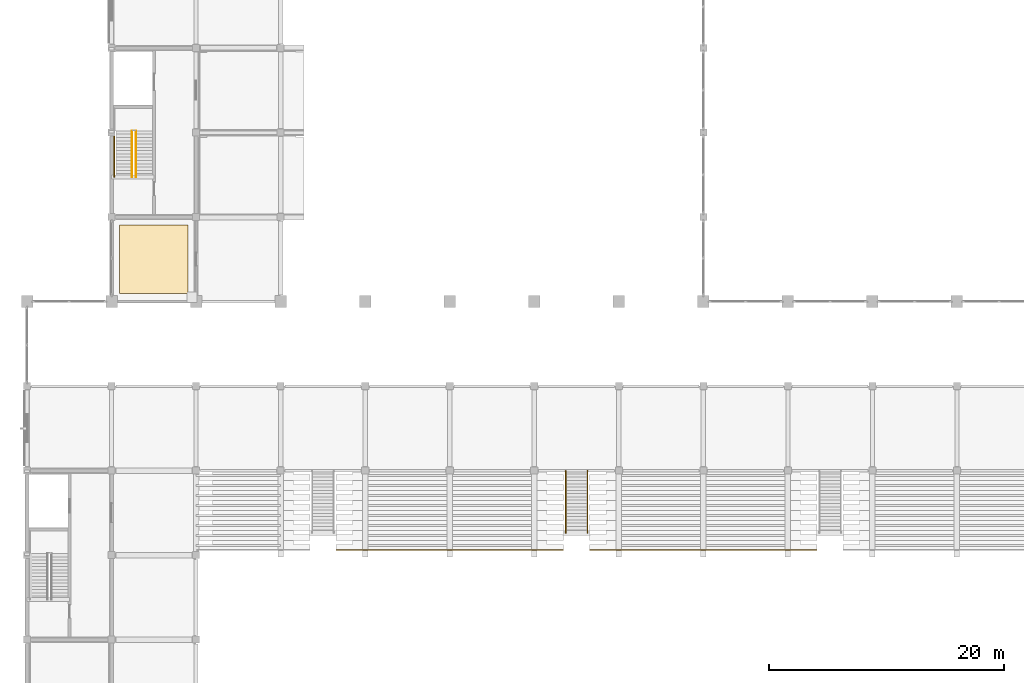
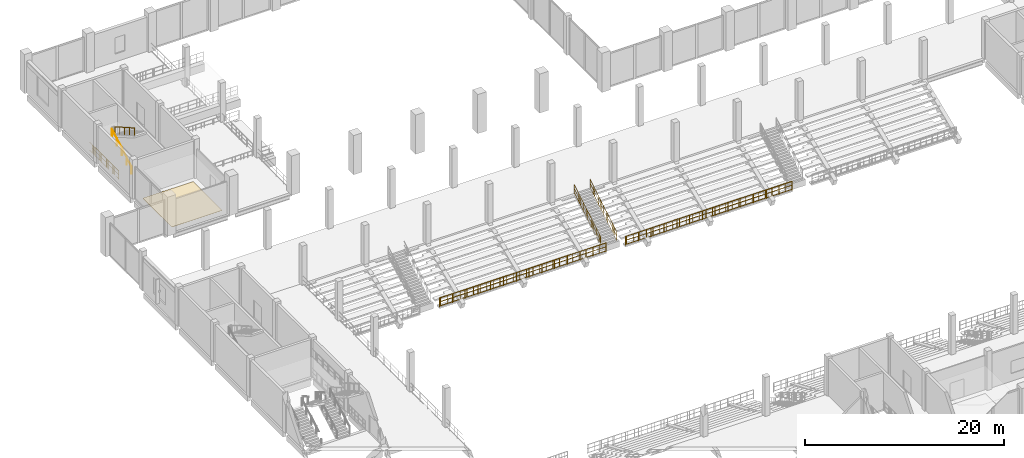
# One storey, part 90 of 99: 7 railings, 1 covering.
"""IFC4 building model written with IfcOpenShell, lengths in metres."""

from ifc_helpers import new_model, si_unit, direction, frame, origin, origin_2d, place, context, subcontext, project, spatial, polyline, circle, outline, extrude, material, layer, layer_set, type_object, element, save


model = new_model("IFC4")

# Units and contexts
model_context = context("Model", 3, precision=1e-05, world=origin(), true_north=direction((0.0, 1.0)))
body_context = subcontext(model_context, "Body", "Model", "MODEL_VIEW")
ifc_project = project(units=[si_unit("LENGTHUNIT", "METRE"), si_unit("AREAUNIT", "SQUARE_METRE"), si_unit("VOLUMEUNIT", "CUBIC_METRE"), si_unit("PLANEANGLEUNIT", "RADIAN"), si_unit("MASSUNIT", "GRAM", prefix="KILO")], contexts=[model_context])

# Site, building, storey
site_placement = place(None, origin())
site = spatial("IfcSite", under=ifc_project, at=site_placement, CompositionType="ELEMENT")
building_placement = place(site_placement, origin())
building = spatial("IfcBuilding", under=site, at=building_placement, Name="Vesperath Aquatics Centre", CompositionType="ELEMENT")
storey_placement = place(building_placement, frame((0.0, 0.0, 5.39990234375)))
storey = spatial("IfcBuildingStorey", under=building, at=storey_placement, Name="L01", CompositionType="ELEMENT", Elevation=5.39990234375)

# Covering
ifc_material_1 = material(Name="Slip-resistant vitrified ceramic and terrazzo flooring", Category="ceramic")
ifc_layer = layer(ifc_material_1, 0.030029296875)
ifc_layer_set = layer_set([ifc_layer], Name="Slip-resistant vitrified ceramic and terrazzo flooring")
covering_type = type_object("IfcCoveringType", Name="CV-FLR01", PredefinedType="FLOORING", material=ifc_layer_set)
covering_placement = place(storey_placement, origin())
element("IfcCovering", 1, at=covering_placement, inside=storey, type_object=covering_type, Name="Slip-Resistant Floor Finish FLR1 L01_DIVE_JDG", PredefinedType="FLOORING", context=body_context, shape_type="SweptSolid", body=[
    extrude(outline(polyline([(7.8798828125, 87.080078125), (13.719970703125, 87.080078125), (13.719970703125, 92.919921875), (7.8798828125, 92.919921875), (7.8798828125, 87.080078125)])), origin(), (0.0, 0.0, 1.0), 0.030029296875),
])

# Railings
ifc_material_2 = material(Name="Powder-coated galvanized steel safety guard", Category="steel")
railing_type_1 = type_object("IfcRailingType", Name="RL-GRD01", PredefinedType="GUARDRAIL", material=ifc_material_2)
railing_1_placement = place(storey_placement, frame((7.419921875, 97.0, 0.0)))
element("IfcRailing", 2, at=railing_1_placement, inside=storey, type_object=railing_type_1, Name="Stair ST3 Shaft Side Guard GR02 L01", PredefinedType="GUARDRAIL", context=body_context, shape_type="SweptSolid", body=[
    extrude(circle(Radius=0.02392578125, at=origin_2d()), frame((0.0, 0.0, 1.0859375), z_axis=(0.0, 1.0, 0.0), x_axis=(-1.0, 0.0, 0.0)), (0.0, 0.0, 1.0), 5.840087890625),
    extrude(circle(Radius=0.01611328125, at=origin_2d()), frame((0.0, 0.0, 0.10009765625), z_axis=(0.0, 1.0, 0.0), x_axis=(-1.0, 0.0, 0.0)), (0.0, 0.0, 1.0), 5.840087890625),
    extrude(circle(Radius=0.01611328125, at=origin_2d()), frame((0.0, 0.0, 0.610595703125), z_axis=(0.0, 1.0, 0.0), x_axis=(-1.0, 0.0, 0.0)), (0.0, 0.0, 1.0), 5.840087890625),
    extrude(circle(Radius=0.009033203125, at=origin_2d()), frame((0.0, 0.108154296875, 0.10009765625)), (0.0, 0.0, 1.0), 0.9619140625),
    extrude(circle(Radius=0.009033203125, at=origin_2d()), frame((0.0, 0.324462890625, 0.10009765625)), (0.0, 0.0, 1.0), 0.9619140625),
    extrude(circle(Radius=0.009033203125, at=origin_2d()), frame((0.0, 0.540771484375, 0.10009765625)), (0.0, 0.0, 1.0), 0.9619140625),
    extrude(circle(Radius=0.009033203125, at=origin_2d()), frame((0.0, 0.757080078125, 0.10009765625)), (0.0, 0.0, 1.0), 0.9619140625),
    extrude(circle(Radius=0.009033203125, at=origin_2d()), frame((0.0, 0.973388671875, 0.10009765625)), (0.0, 0.0, 1.0), 0.9619140625),
    extrude(circle(Radius=0.009033203125, at=origin_2d()), frame((0.0, 1.189697265625, 0.10009765625)), (0.0, 0.0, 1.0), 0.9619140625),
    extrude(circle(Radius=0.009033203125, at=origin_2d()), frame((0.0, 1.406005859375, 0.10009765625)), (0.0, 0.0, 1.0), 0.9619140625),
    extrude(circle(Radius=0.009033203125, at=origin_2d()), frame((0.0, 1.622314453125, 0.10009765625)), (0.0, 0.0, 1.0), 0.9619140625),
    extrude(circle(Radius=0.009033203125, at=origin_2d()), frame((0.0, 1.838623046875, 0.10009765625)), (0.0, 0.0, 1.0), 0.9619140625),
    extrude(circle(Radius=0.009033203125, at=origin_2d()), frame((0.0, 2.054931640625, 0.10009765625)), (0.0, 0.0, 1.0), 0.9619140625),
    extrude(circle(Radius=0.009033203125, at=origin_2d()), frame((0.0, 2.271240234375, 0.10009765625)), (0.0, 0.0, 1.0), 0.9619140625),
    extrude(circle(Radius=0.009033203125, at=origin_2d()), frame((0.0, 2.487548828125, 0.10009765625)), (0.0, 0.0, 1.0), 0.9619140625),
    extrude(circle(Radius=0.009033203125, at=origin_2d()), frame((0.0, 2.703857421875, 0.10009765625)), (0.0, 0.0, 1.0), 0.9619140625),
    extrude(circle(Radius=0.009033203125, at=origin_2d()), frame((0.0, 2.919921875, 0.10009765625)), (0.0, 0.0, 1.0), 0.9619140625),
    extrude(circle(Radius=0.009033203125, at=origin_2d()), frame((0.0, 3.13623046875, 0.10009765625)), (0.0, 0.0, 1.0), 0.9619140625),
    extrude(circle(Radius=0.009033203125, at=origin_2d()), frame((0.0, 3.3525390625, 0.10009765625)), (0.0, 0.0, 1.0), 0.9619140625),
    extrude(circle(Radius=0.009033203125, at=origin_2d()), frame((0.0, 3.56884765625, 0.10009765625)), (0.0, 0.0, 1.0), 0.9619140625),
    extrude(circle(Radius=0.009033203125, at=origin_2d()), frame((0.0, 3.78515625, 0.10009765625)), (0.0, 0.0, 1.0), 0.9619140625),
    extrude(circle(Radius=0.009033203125, at=origin_2d()), frame((0.0, 4.00146484375, 0.10009765625)), (0.0, 0.0, 1.0), 0.9619140625),
    extrude(circle(Radius=0.009033203125, at=origin_2d()), frame((0.0, 4.2177734375, 0.10009765625)), (0.0, 0.0, 1.0), 0.9619140625),
    extrude(circle(Radius=0.009033203125, at=origin_2d()), frame((0.0, 4.43408203125, 0.10009765625)), (0.0, 0.0, 1.0), 0.9619140625),
    extrude(circle(Radius=0.009033203125, at=origin_2d()), frame((0.0, 4.650390625, 0.10009765625)), (0.0, 0.0, 1.0), 0.9619140625),
    extrude(circle(Radius=0.009033203125, at=origin_2d()), frame((0.0, 4.86669921875, 0.10009765625)), (0.0, 0.0, 1.0), 0.9619140625),
    extrude(circle(Radius=0.009033203125, at=origin_2d()), frame((0.0, 5.0830078125, 0.10009765625)), (0.0, 0.0, 1.0), 0.9619140625),
    extrude(circle(Radius=0.009033203125, at=origin_2d()), frame((0.0, 5.29931640625, 0.10009765625)), (0.0, 0.0, 1.0), 0.9619140625),
    extrude(circle(Radius=0.009033203125, at=origin_2d()), frame((0.0, 5.515625, 0.10009765625)), (0.0, 0.0, 1.0), 0.9619140625),
    extrude(circle(Radius=0.009033203125, at=origin_2d()), frame((0.0, 5.73193359375, 0.10009765625)), (0.0, 0.0, 1.0), 0.9619140625),
    extrude(circle(Radius=0.02197265625, at=origin_2d()), origin(), (0.0, 0.0, 1.0), 1.0859375),
    extrude(circle(Radius=0.02197265625, at=origin_2d()), frame((0.0, 1.16796875, 0.0)), (0.0, 0.0, 1.0), 1.0859375),
    extrude(circle(Radius=0.02197265625, at=origin_2d()), frame((0.0, 2.3359375, 0.0)), (0.0, 0.0, 1.0), 1.0859375),
    extrude(circle(Radius=0.02197265625, at=origin_2d()), frame((0.0, 3.504150390625, 0.0)), (0.0, 0.0, 1.0), 1.0859375),
    extrude(circle(Radius=0.02197265625, at=origin_2d()), frame((0.0, 4.672119140625, 0.0)), (0.0, 0.0, 1.0), 1.0859375),
    extrude(circle(Radius=0.02197265625, at=origin_2d()), frame((0.0, 5.840087890625, 0.0)), (0.0, 0.0, 1.0), 1.0859375),
])
railing_2_placement = place(storey_placement, frame((45.8798828125, 66.679931640625, -3.199951171875)))
element("IfcRailing", 3, at=railing_2_placement, inside=storey, type_object=railing_type_1, Name="Vomitory VOM-05 Guardrail GR02-W", PredefinedType="GUARDRAIL", context=body_context, shape_type="SweptSolid", body=[
    extrude(circle(Radius=0.02392578125, at=origin_2d()), frame((0.0, 0.0, 1.0859375), z_axis=(0.0, 0.85693029826, 0.515432307801), x_axis=(-1.0, 0.0, 0.0)), (0.0, 0.0, 1.0), 6.208251953125),
    extrude(circle(Radius=0.01611328125, at=origin_2d()), frame((0.0, 0.0, 0.10009765625), z_axis=(0.0, 0.85693029826, 0.515432307801), x_axis=(-1.0, 0.0, 0.0)), (0.0, 0.0, 1.0), 6.208251953125),
    extrude(circle(Radius=0.01611328125, at=origin_2d()), frame((0.0, 0.0, 0.610595703125), z_axis=(0.0, 0.85693029826, 0.515432307801), x_axis=(-1.0, 0.0, 0.0)), (0.0, 0.0, 1.0), 6.208251953125),
    extrude(circle(Radius=0.009033203125, at=origin_2d()), frame((0.0, 0.09326171875, 0.15625)), (0.0, 0.0, 1.0), 0.9619140625),
    extrude(circle(Radius=0.009033203125, at=origin_2d()), frame((0.0, 0.280029296875, 0.2685546875)), (0.0, 0.0, 1.0), 0.9619140625),
    extrude(circle(Radius=0.009033203125, at=origin_2d()), frame((0.0, 0.466552734375, 0.380859375)), (0.0, 0.0, 1.0), 0.9619140625),
    extrude(circle(Radius=0.009033203125, at=origin_2d()), frame((0.0, 0.6533203125, 0.4931640625)), (0.0, 0.0, 1.0), 0.9619140625),
    extrude(circle(Radius=0.009033203125, at=origin_2d()), frame((0.0, 0.840087890625, 0.60546875)), (0.0, 0.0, 1.0), 0.9619140625),
    extrude(circle(Radius=0.009033203125, at=origin_2d()), frame((0.0, 1.026611328125, 0.717529296875)), (0.0, 0.0, 1.0), 0.9619140625),
    extrude(circle(Radius=0.009033203125, at=origin_2d()), frame((0.0, 1.21337890625, 0.829833984375)), (0.0, 0.0, 1.0), 0.9619140625),
    extrude(circle(Radius=0.009033203125, at=origin_2d()), frame((0.0, 1.39990234375, 0.942138671875)), (0.0, 0.0, 1.0), 0.9619140625),
    extrude(circle(Radius=0.009033203125, at=origin_2d()), frame((0.0, 1.586669921875, 1.054443359375)), (0.0, 0.0, 1.0), 0.9619140625),
    extrude(circle(Radius=0.009033203125, at=origin_2d()), frame((0.0, 1.7734375, 1.166748046875)), (0.0, 0.0, 1.0), 0.9619140625),
    extrude(circle(Radius=0.009033203125, at=origin_2d()), frame((0.0, 1.9599609375, 1.279052734375)), (0.0, 0.0, 1.0), 0.9619140625),
    extrude(circle(Radius=0.009033203125, at=origin_2d()), frame((0.0, 2.146728515625, 1.391357421875)), (0.0, 0.0, 1.0), 0.9619140625),
    extrude(circle(Radius=0.009033203125, at=origin_2d()), frame((0.0, 2.333251953125, 1.503662109375)), (0.0, 0.0, 1.0), 0.9619140625),
    extrude(circle(Radius=0.009033203125, at=origin_2d()), frame((0.0, 2.52001953125, 1.615966796875)), (0.0, 0.0, 1.0), 0.9619140625),
    extrude(circle(Radius=0.009033203125, at=origin_2d()), frame((0.0, 2.706787109375, 1.72802734375)), (0.0, 0.0, 1.0), 0.9619140625),
    extrude(circle(Radius=0.009033203125, at=origin_2d()), frame((0.0, 2.893310546875, 1.84033203125)), (0.0, 0.0, 1.0), 0.9619140625),
    extrude(circle(Radius=0.009033203125, at=origin_2d()), frame((0.0, 3.080078125, 1.95263671875)), (0.0, 0.0, 1.0), 0.9619140625),
    extrude(circle(Radius=0.009033203125, at=origin_2d()), frame((0.0, 3.2666015625, 2.06494140625)), (0.0, 0.0, 1.0), 0.9619140625),
    extrude(circle(Radius=0.009033203125, at=origin_2d()), frame((0.0, 3.453369140625, 2.17724609375)), (0.0, 0.0, 1.0), 0.9619140625),
    extrude(circle(Radius=0.009033203125, at=origin_2d()), frame((0.0, 3.64013671875, 2.28955078125)), (0.0, 0.0, 1.0), 0.9619140625),
    extrude(circle(Radius=0.009033203125, at=origin_2d()), frame((0.0, 3.82666015625, 2.40185546875)), (0.0, 0.0, 1.0), 0.9619140625),
    extrude(circle(Radius=0.009033203125, at=origin_2d()), frame((0.0, 4.013427734375, 2.51416015625)), (0.0, 0.0, 1.0), 0.9619140625),
    extrude(circle(Radius=0.009033203125, at=origin_2d()), frame((0.0, 4.199951171875, 2.62646484375)), (0.0, 0.0, 1.0), 0.9619140625),
    extrude(circle(Radius=0.009033203125, at=origin_2d()), frame((0.0, 4.38671875, 2.73876953125)), (0.0, 0.0, 1.0), 0.9619140625),
    extrude(circle(Radius=0.009033203125, at=origin_2d()), frame((0.0, 4.573486328125, 2.850830078125)), (0.0, 0.0, 1.0), 0.9619140625),
    extrude(circle(Radius=0.009033203125, at=origin_2d()), frame((0.0, 4.760009765625, 2.963134765625)), (0.0, 0.0, 1.0), 0.9619140625),
    extrude(circle(Radius=0.009033203125, at=origin_2d()), frame((0.0, 4.94677734375, 3.075439453125)), (0.0, 0.0, 1.0), 0.9619140625),
    extrude(circle(Radius=0.009033203125, at=origin_2d()), frame((0.0, 5.13330078125, 3.187744140625)), (0.0, 0.0, 1.0), 0.9619140625),
    extrude(circle(Radius=0.02197265625, at=origin_2d()), origin(), (0.0, 0.0, 1.0), 1.0859375),
    extrude(circle(Radius=0.02197265625, at=origin_2d()), frame((0.0, 0.88671875, 0.533203125)), (0.0, 0.0, 1.0), 1.0859375),
    extrude(circle(Radius=0.02197265625, at=origin_2d()), frame((0.0, 1.7734375, 1.066650390625)), (0.0, 0.0, 1.0), 1.0859375),
    extrude(circle(Radius=0.02197265625, at=origin_2d()), frame((0.0, 2.66015625, 1.60009765625)), (0.0, 0.0, 1.0), 1.0859375),
    extrude(circle(Radius=0.02197265625, at=origin_2d()), frame((0.0, 3.546630859375, 2.13330078125)), (0.0, 0.0, 1.0), 1.0859375),
    extrude(circle(Radius=0.02197265625, at=origin_2d()), frame((0.0, 4.433349609375, 2.66650390625)), (0.0, 0.0, 1.0), 1.0859375),
    extrude(circle(Radius=0.02197265625, at=origin_2d()), frame((0.0, 5.320068359375, 3.199951171875)), (0.0, 0.0, 1.0), 1.0859375),
])
railing_3_placement = place(storey_placement, frame((47.719970703125, 66.679931640625, -3.199951171875)))
element("IfcRailing", 4, at=railing_3_placement, inside=storey, type_object=railing_type_1, Name="Vomitory VOM-05 Guardrail GR02-E", PredefinedType="GUARDRAIL", context=body_context, shape_type="SweptSolid", body=[
    extrude(circle(Radius=0.02392578125, at=origin_2d()), frame((0.0, 0.0, 1.0859375), z_axis=(0.0, 0.85693029826, 0.515432307801), x_axis=(-1.0, 0.0, 0.0)), (0.0, 0.0, 1.0), 6.208251953125),
    extrude(circle(Radius=0.01611328125, at=origin_2d()), frame((0.0, 0.0, 0.10009765625), z_axis=(0.0, 0.85693029826, 0.515432307801), x_axis=(-1.0, 0.0, 0.0)), (0.0, 0.0, 1.0), 6.208251953125),
    extrude(circle(Radius=0.01611328125, at=origin_2d()), frame((0.0, 0.0, 0.610595703125), z_axis=(0.0, 0.85693029826, 0.515432307801), x_axis=(-1.0, 0.0, 0.0)), (0.0, 0.0, 1.0), 6.208251953125),
    extrude(circle(Radius=0.009033203125, at=origin_2d()), frame((0.0, 0.09326171875, 0.15625)), (0.0, 0.0, 1.0), 0.9619140625),
    extrude(circle(Radius=0.009033203125, at=origin_2d()), frame((0.0, 0.280029296875, 0.2685546875)), (0.0, 0.0, 1.0), 0.9619140625),
    extrude(circle(Radius=0.009033203125, at=origin_2d()), frame((0.0, 0.466552734375, 0.380859375)), (0.0, 0.0, 1.0), 0.9619140625),
    extrude(circle(Radius=0.009033203125, at=origin_2d()), frame((0.0, 0.6533203125, 0.4931640625)), (0.0, 0.0, 1.0), 0.9619140625),
    extrude(circle(Radius=0.009033203125, at=origin_2d()), frame((0.0, 0.840087890625, 0.60546875)), (0.0, 0.0, 1.0), 0.9619140625),
    extrude(circle(Radius=0.009033203125, at=origin_2d()), frame((0.0, 1.026611328125, 0.717529296875)), (0.0, 0.0, 1.0), 0.9619140625),
    extrude(circle(Radius=0.009033203125, at=origin_2d()), frame((0.0, 1.21337890625, 0.829833984375)), (0.0, 0.0, 1.0), 0.9619140625),
    extrude(circle(Radius=0.009033203125, at=origin_2d()), frame((0.0, 1.39990234375, 0.942138671875)), (0.0, 0.0, 1.0), 0.9619140625),
    extrude(circle(Radius=0.009033203125, at=origin_2d()), frame((0.0, 1.586669921875, 1.054443359375)), (0.0, 0.0, 1.0), 0.9619140625),
    extrude(circle(Radius=0.009033203125, at=origin_2d()), frame((0.0, 1.7734375, 1.166748046875)), (0.0, 0.0, 1.0), 0.9619140625),
    extrude(circle(Radius=0.009033203125, at=origin_2d()), frame((0.0, 1.9599609375, 1.279052734375)), (0.0, 0.0, 1.0), 0.9619140625),
    extrude(circle(Radius=0.009033203125, at=origin_2d()), frame((0.0, 2.146728515625, 1.391357421875)), (0.0, 0.0, 1.0), 0.9619140625),
    extrude(circle(Radius=0.009033203125, at=origin_2d()), frame((0.0, 2.333251953125, 1.503662109375)), (0.0, 0.0, 1.0), 0.9619140625),
    extrude(circle(Radius=0.009033203125, at=origin_2d()), frame((0.0, 2.52001953125, 1.615966796875)), (0.0, 0.0, 1.0), 0.9619140625),
    extrude(circle(Radius=0.009033203125, at=origin_2d()), frame((0.0, 2.706787109375, 1.72802734375)), (0.0, 0.0, 1.0), 0.9619140625),
    extrude(circle(Radius=0.009033203125, at=origin_2d()), frame((0.0, 2.893310546875, 1.84033203125)), (0.0, 0.0, 1.0), 0.9619140625),
    extrude(circle(Radius=0.009033203125, at=origin_2d()), frame((0.0, 3.080078125, 1.95263671875)), (0.0, 0.0, 1.0), 0.9619140625),
    extrude(circle(Radius=0.009033203125, at=origin_2d()), frame((0.0, 3.2666015625, 2.06494140625)), (0.0, 0.0, 1.0), 0.9619140625),
    extrude(circle(Radius=0.009033203125, at=origin_2d()), frame((0.0, 3.453369140625, 2.17724609375)), (0.0, 0.0, 1.0), 0.9619140625),
    extrude(circle(Radius=0.009033203125, at=origin_2d()), frame((0.0, 3.64013671875, 2.28955078125)), (0.0, 0.0, 1.0), 0.9619140625),
    extrude(circle(Radius=0.009033203125, at=origin_2d()), frame((0.0, 3.82666015625, 2.40185546875)), (0.0, 0.0, 1.0), 0.9619140625),
    extrude(circle(Radius=0.009033203125, at=origin_2d()), frame((0.0, 4.013427734375, 2.51416015625)), (0.0, 0.0, 1.0), 0.9619140625),
    extrude(circle(Radius=0.009033203125, at=origin_2d()), frame((0.0, 4.199951171875, 2.62646484375)), (0.0, 0.0, 1.0), 0.9619140625),
    extrude(circle(Radius=0.009033203125, at=origin_2d()), frame((0.0, 4.38671875, 2.73876953125)), (0.0, 0.0, 1.0), 0.9619140625),
    extrude(circle(Radius=0.009033203125, at=origin_2d()), frame((0.0, 4.573486328125, 2.850830078125)), (0.0, 0.0, 1.0), 0.9619140625),
    extrude(circle(Radius=0.009033203125, at=origin_2d()), frame((0.0, 4.760009765625, 2.963134765625)), (0.0, 0.0, 1.0), 0.9619140625),
    extrude(circle(Radius=0.009033203125, at=origin_2d()), frame((0.0, 4.94677734375, 3.075439453125)), (0.0, 0.0, 1.0), 0.9619140625),
    extrude(circle(Radius=0.009033203125, at=origin_2d()), frame((0.0, 5.13330078125, 3.187744140625)), (0.0, 0.0, 1.0), 0.9619140625),
    extrude(circle(Radius=0.02197265625, at=origin_2d()), origin(), (0.0, 0.0, 1.0), 1.0859375),
    extrude(circle(Radius=0.02197265625, at=origin_2d()), frame((0.0, 0.88671875, 0.533203125)), (0.0, 0.0, 1.0), 1.0859375),
    extrude(circle(Radius=0.02197265625, at=origin_2d()), frame((0.0, 1.7734375, 1.066650390625)), (0.0, 0.0, 1.0), 1.0859375),
    extrude(circle(Radius=0.02197265625, at=origin_2d()), frame((0.0, 2.66015625, 1.60009765625)), (0.0, 0.0, 1.0), 1.0859375),
    extrude(circle(Radius=0.02197265625, at=origin_2d()), frame((0.0, 3.546630859375, 2.13330078125)), (0.0, 0.0, 1.0), 1.0859375),
    extrude(circle(Radius=0.02197265625, at=origin_2d()), frame((0.0, 4.433349609375, 2.66650390625)), (0.0, 0.0, 1.0), 1.0859375),
    extrude(circle(Radius=0.02197265625, at=origin_2d()), frame((0.0, 5.320068359375, 3.199951171875)), (0.0, 0.0, 1.0), 1.0859375),
])
railing_4_placement = place(storey_placement, frame((26.35009765625, 65.25, -3.0)))
element("IfcRailing", 5, at=railing_4_placement, inside=storey, type_object=railing_type_1, Name="Safety Guardrail GR02 GRD_L01_BOWL_N2", PredefinedType="GUARDRAIL", context=body_context, shape_type="SweptSolid", body=[
    extrude(circle(Radius=0.02392578125, at=origin_2d()), frame((0.0, 0.0, 1.0859375), z_axis=(1.0, 0.0, 0.0), x_axis=(0.0, 1.0, 0.0)), (0.0, 0.0, 1.0), 19.2998046875),
    extrude(circle(Radius=0.01611328125, at=origin_2d()), frame((0.0, 0.0, 0.10009765625), z_axis=(1.0, 0.0, 0.0), x_axis=(0.0, 1.0, 0.0)), (0.0, 0.0, 1.0), 19.2998046875),
    extrude(circle(Radius=0.01611328125, at=origin_2d()), frame((0.0, 0.0, 0.610595703125), z_axis=(1.0, 0.0, 0.0), x_axis=(0.0, 1.0, 0.0)), (0.0, 0.0, 1.0), 19.2998046875),
    extrude(circle(Radius=0.009033203125, at=origin_2d()), frame((0.109619140625, 0.0, 0.10009765625)), (0.0, 0.0, 1.0), 0.9619140625),
    extrude(circle(Radius=0.009033203125, at=origin_2d()), frame((0.877197265625, 0.0, 0.10009765625)), (0.0, 0.0, 1.0), 0.9619140625),
    extrude(circle(Radius=0.009033203125, at=origin_2d()), frame((1.644775390625, 0.0, 0.10009765625)), (0.0, 0.0, 1.0), 0.9619140625),
    extrude(circle(Radius=0.009033203125, at=origin_2d()), frame((2.41259765625, 0.0, 0.10009765625)), (0.0, 0.0, 1.0), 0.9619140625),
    extrude(circle(Radius=0.009033203125, at=origin_2d()), frame((3.18017578125, 0.0, 0.10009765625)), (0.0, 0.0, 1.0), 0.9619140625),
    extrude(circle(Radius=0.009033203125, at=origin_2d()), frame((3.94775390625, 0.0, 0.10009765625)), (0.0, 0.0, 1.0), 0.9619140625),
    extrude(circle(Radius=0.009033203125, at=origin_2d()), frame((4.71533203125, 0.0, 0.10009765625)), (0.0, 0.0, 1.0), 0.9619140625),
    extrude(circle(Radius=0.009033203125, at=origin_2d()), frame((5.48291015625, 0.0, 0.10009765625)), (0.0, 0.0, 1.0), 0.9619140625),
    extrude(circle(Radius=0.009033203125, at=origin_2d()), frame((6.25048828125, 0.0, 0.10009765625)), (0.0, 0.0, 1.0), 0.9619140625),
    extrude(circle(Radius=0.009033203125, at=origin_2d()), frame((7.01806640625, 0.0, 0.10009765625)), (0.0, 0.0, 1.0), 0.9619140625),
    extrude(circle(Radius=0.009033203125, at=origin_2d()), frame((7.78564453125, 0.0, 0.10009765625)), (0.0, 0.0, 1.0), 0.9619140625),
    extrude(circle(Radius=0.009033203125, at=origin_2d()), frame((8.55322265625, 0.0, 0.10009765625)), (0.0, 0.0, 1.0), 0.9619140625),
    extrude(circle(Radius=0.009033203125, at=origin_2d()), frame((9.321044921875, 0.0, 0.10009765625)), (0.0, 0.0, 1.0), 0.9619140625),
    extrude(circle(Radius=0.009033203125, at=origin_2d()), frame((10.088623046875, 0.0, 0.10009765625)), (0.0, 0.0, 1.0), 0.9619140625),
    extrude(circle(Radius=0.009033203125, at=origin_2d()), frame((10.856201171875, 0.0, 0.10009765625)), (0.0, 0.0, 1.0), 0.9619140625),
    extrude(circle(Radius=0.009033203125, at=origin_2d()), frame((11.623779296875, 0.0, 0.10009765625)), (0.0, 0.0, 1.0), 0.9619140625),
    extrude(circle(Radius=0.009033203125, at=origin_2d()), frame((12.391357421875, 0.0, 0.10009765625)), (0.0, 0.0, 1.0), 0.9619140625),
    extrude(circle(Radius=0.009033203125, at=origin_2d()), frame((13.158935546875, 0.0, 0.10009765625)), (0.0, 0.0, 1.0), 0.9619140625),
    extrude(circle(Radius=0.009033203125, at=origin_2d()), frame((13.926513671875, 0.0, 0.10009765625)), (0.0, 0.0, 1.0), 0.9619140625),
    extrude(circle(Radius=0.009033203125, at=origin_2d()), frame((14.694091796875, 0.0, 0.10009765625)), (0.0, 0.0, 1.0), 0.9619140625),
    extrude(circle(Radius=0.009033203125, at=origin_2d()), frame((15.461669921875, 0.0, 0.10009765625)), (0.0, 0.0, 1.0), 0.9619140625),
    extrude(circle(Radius=0.009033203125, at=origin_2d()), frame((16.2294921875, 0.0, 0.10009765625)), (0.0, 0.0, 1.0), 0.9619140625),
    extrude(circle(Radius=0.009033203125, at=origin_2d()), frame((16.9970703125, 0.0, 0.10009765625)), (0.0, 0.0, 1.0), 0.9619140625),
    extrude(circle(Radius=0.009033203125, at=origin_2d()), frame((17.7646484375, 0.0, 0.10009765625)), (0.0, 0.0, 1.0), 0.9619140625),
    extrude(circle(Radius=0.009033203125, at=origin_2d()), frame((18.5322265625, 0.0, 0.10009765625)), (0.0, 0.0, 1.0), 0.9619140625),
    extrude(circle(Radius=0.02197265625, at=origin_2d()), origin(), (0.0, 0.0, 1.0), 1.0859375),
    extrude(circle(Radius=0.02197265625, at=origin_2d()), frame((1.484619140625, 0.0, 0.0)), (0.0, 0.0, 1.0), 1.0859375),
    extrude(circle(Radius=0.02197265625, at=origin_2d()), frame((2.96923828125, 0.0, 0.0)), (0.0, 0.0, 1.0), 1.0859375),
    extrude(circle(Radius=0.02197265625, at=origin_2d()), frame((4.453857421875, 0.0, 0.0)), (0.0, 0.0, 1.0), 1.0859375),
    extrude(circle(Radius=0.02197265625, at=origin_2d()), frame((5.9384765625, 0.0, 0.0)), (0.0, 0.0, 1.0), 1.0859375),
    extrude(circle(Radius=0.02197265625, at=origin_2d()), frame((7.423095703125, 0.0, 0.0)), (0.0, 0.0, 1.0), 1.0859375),
    extrude(circle(Radius=0.02197265625, at=origin_2d()), frame((8.90771484375, 0.0, 0.0)), (0.0, 0.0, 1.0), 1.0859375),
    extrude(circle(Radius=0.02197265625, at=origin_2d()), frame((10.39208984375, 0.0, 0.0)), (0.0, 0.0, 1.0), 1.0859375),
    extrude(circle(Radius=0.02197265625, at=origin_2d()), frame((11.876708984375, 0.0, 0.0)), (0.0, 0.0, 1.0), 1.0859375),
    extrude(circle(Radius=0.02197265625, at=origin_2d()), frame((13.361328125, 0.0, 0.0)), (0.0, 0.0, 1.0), 1.0859375),
    extrude(circle(Radius=0.02197265625, at=origin_2d()), frame((14.845947265625, 0.0, 0.0)), (0.0, 0.0, 1.0), 1.0859375),
    extrude(circle(Radius=0.02197265625, at=origin_2d()), frame((16.33056640625, 0.0, 0.0)), (0.0, 0.0, 1.0), 1.0859375),
    extrude(circle(Radius=0.02197265625, at=origin_2d()), frame((17.815185546875, 0.0, 0.0)), (0.0, 0.0, 1.0), 1.0859375),
    extrude(circle(Radius=0.02197265625, at=origin_2d()), frame((19.2998046875, 0.0, 0.0)), (0.0, 0.0, 1.0), 1.0859375),
])
railing_5_placement = place(storey_placement, frame((47.949951171875, 65.25, -3.0)))
element("IfcRailing", 6, at=railing_5_placement, inside=storey, type_object=railing_type_1, Name="Safety Guardrail GR02 GRD_L01_BOWL_N3", PredefinedType="GUARDRAIL", context=body_context, shape_type="SweptSolid", body=[
    extrude(circle(Radius=0.02392578125, at=origin_2d()), frame((0.0, 0.0, 1.0859375), z_axis=(1.0, 0.0, 0.0), x_axis=(0.0, 1.0, 0.0)), (0.0, 0.0, 1.0), 19.300048828125),
    extrude(circle(Radius=0.01611328125, at=origin_2d()), frame((0.0, 0.0, 0.10009765625), z_axis=(1.0, 0.0, 0.0), x_axis=(0.0, 1.0, 0.0)), (0.0, 0.0, 1.0), 19.300048828125),
    extrude(circle(Radius=0.01611328125, at=origin_2d()), frame((0.0, 0.0, 0.610595703125), z_axis=(1.0, 0.0, 0.0), x_axis=(0.0, 1.0, 0.0)), (0.0, 0.0, 1.0), 19.300048828125),
    extrude(circle(Radius=0.009033203125, at=origin_2d()), frame((0.109619140625, 0.0, 0.10009765625)), (0.0, 0.0, 1.0), 0.9619140625),
    extrude(circle(Radius=0.009033203125, at=origin_2d()), frame((0.877197265625, 0.0, 0.10009765625)), (0.0, 0.0, 1.0), 0.9619140625),
    extrude(circle(Radius=0.009033203125, at=origin_2d()), frame((1.644775390625, 0.0, 0.10009765625)), (0.0, 0.0, 1.0), 0.9619140625),
    extrude(circle(Radius=0.009033203125, at=origin_2d()), frame((2.41259765625, 0.0, 0.10009765625)), (0.0, 0.0, 1.0), 0.9619140625),
    extrude(circle(Radius=0.009033203125, at=origin_2d()), frame((3.18017578125, 0.0, 0.10009765625)), (0.0, 0.0, 1.0), 0.9619140625),
    extrude(circle(Radius=0.009033203125, at=origin_2d()), frame((3.94775390625, 0.0, 0.10009765625)), (0.0, 0.0, 1.0), 0.9619140625),
    extrude(circle(Radius=0.009033203125, at=origin_2d()), frame((4.71533203125, 0.0, 0.10009765625)), (0.0, 0.0, 1.0), 0.9619140625),
    extrude(circle(Radius=0.009033203125, at=origin_2d()), frame((5.48291015625, 0.0, 0.10009765625)), (0.0, 0.0, 1.0), 0.9619140625),
    extrude(circle(Radius=0.009033203125, at=origin_2d()), frame((6.25048828125, 0.0, 0.10009765625)), (0.0, 0.0, 1.0), 0.9619140625),
    extrude(circle(Radius=0.009033203125, at=origin_2d()), frame((7.018310546875, 0.0, 0.10009765625)), (0.0, 0.0, 1.0), 0.9619140625),
    extrude(circle(Radius=0.009033203125, at=origin_2d()), frame((7.785888671875, 0.0, 0.10009765625)), (0.0, 0.0, 1.0), 0.9619140625),
    extrude(circle(Radius=0.009033203125, at=origin_2d()), frame((8.553466796875, 0.0, 0.10009765625)), (0.0, 0.0, 1.0), 0.9619140625),
    extrude(circle(Radius=0.009033203125, at=origin_2d()), frame((9.321044921875, 0.0, 0.10009765625)), (0.0, 0.0, 1.0), 0.9619140625),
    extrude(circle(Radius=0.009033203125, at=origin_2d()), frame((10.088623046875, 0.0, 0.10009765625)), (0.0, 0.0, 1.0), 0.9619140625),
    extrude(circle(Radius=0.009033203125, at=origin_2d()), frame((10.856201171875, 0.0, 0.10009765625)), (0.0, 0.0, 1.0), 0.9619140625),
    extrude(circle(Radius=0.009033203125, at=origin_2d()), frame((11.623779296875, 0.0, 0.10009765625)), (0.0, 0.0, 1.0), 0.9619140625),
    extrude(circle(Radius=0.009033203125, at=origin_2d()), frame((12.3916015625, 0.0, 0.10009765625)), (0.0, 0.0, 1.0), 0.9619140625),
    extrude(circle(Radius=0.009033203125, at=origin_2d()), frame((13.1591796875, 0.0, 0.10009765625)), (0.0, 0.0, 1.0), 0.9619140625),
    extrude(circle(Radius=0.009033203125, at=origin_2d()), frame((13.9267578125, 0.0, 0.10009765625)), (0.0, 0.0, 1.0), 0.9619140625),
    extrude(circle(Radius=0.009033203125, at=origin_2d()), frame((14.6943359375, 0.0, 0.10009765625)), (0.0, 0.0, 1.0), 0.9619140625),
    extrude(circle(Radius=0.009033203125, at=origin_2d()), frame((15.4619140625, 0.0, 0.10009765625)), (0.0, 0.0, 1.0), 0.9619140625),
    extrude(circle(Radius=0.009033203125, at=origin_2d()), frame((16.2294921875, 0.0, 0.10009765625)), (0.0, 0.0, 1.0), 0.9619140625),
    extrude(circle(Radius=0.009033203125, at=origin_2d()), frame((16.997314453125, 0.0, 0.10009765625)), (0.0, 0.0, 1.0), 0.9619140625),
    extrude(circle(Radius=0.009033203125, at=origin_2d()), frame((17.764892578125, 0.0, 0.10009765625)), (0.0, 0.0, 1.0), 0.9619140625),
    extrude(circle(Radius=0.009033203125, at=origin_2d()), frame((18.532470703125, 0.0, 0.10009765625)), (0.0, 0.0, 1.0), 0.9619140625),
    extrude(circle(Radius=0.02197265625, at=origin_2d()), origin(), (0.0, 0.0, 1.0), 1.0859375),
    extrude(circle(Radius=0.02197265625, at=origin_2d()), frame((1.484619140625, 0.0, 0.0)), (0.0, 0.0, 1.0), 1.0859375),
    extrude(circle(Radius=0.02197265625, at=origin_2d()), frame((2.96923828125, 0.0, 0.0)), (0.0, 0.0, 1.0), 1.0859375),
    extrude(circle(Radius=0.02197265625, at=origin_2d()), frame((4.453857421875, 0.0, 0.0)), (0.0, 0.0, 1.0), 1.0859375),
    extrude(circle(Radius=0.02197265625, at=origin_2d()), frame((5.9384765625, 0.0, 0.0)), (0.0, 0.0, 1.0), 1.0859375),
    extrude(circle(Radius=0.02197265625, at=origin_2d()), frame((7.423095703125, 0.0, 0.0)), (0.0, 0.0, 1.0), 1.0859375),
    extrude(circle(Radius=0.02197265625, at=origin_2d()), frame((8.90771484375, 0.0, 0.0)), (0.0, 0.0, 1.0), 1.0859375),
    extrude(circle(Radius=0.02197265625, at=origin_2d()), frame((10.392333984375, 0.0, 0.0)), (0.0, 0.0, 1.0), 1.0859375),
    extrude(circle(Radius=0.02197265625, at=origin_2d()), frame((11.876953125, 0.0, 0.0)), (0.0, 0.0, 1.0), 1.0859375),
    extrude(circle(Radius=0.02197265625, at=origin_2d()), frame((13.361572265625, 0.0, 0.0)), (0.0, 0.0, 1.0), 1.0859375),
    extrude(circle(Radius=0.02197265625, at=origin_2d()), frame((14.84619140625, 0.0, 0.0)), (0.0, 0.0, 1.0), 1.0859375),
    extrude(circle(Radius=0.02197265625, at=origin_2d()), frame((16.330810546875, 0.0, 0.0)), (0.0, 0.0, 1.0), 1.0859375),
    extrude(circle(Radius=0.02197265625, at=origin_2d()), frame((17.8154296875, 0.0, 0.0)), (0.0, 0.0, 1.0), 1.0859375),
    extrude(circle(Radius=0.02197265625, at=origin_2d()), frame((19.300048828125, 0.0, 0.0)), (0.0, 0.0, 1.0), 1.0859375),
])
ifc_material_3 = material(Name="Brushed stainless steel tubular handrail", Category="steel")
railing_type_2 = type_object("IfcRailingType", Name="RL-HND01", PredefinedType="HANDRAIL", material=ifc_material_3)
railing_6_placement = place(storey_placement, frame((8.949951171875, 97.02001953125, 0.16015625)))
element("IfcRailing", 7, at=railing_6_placement, inside=storey, type_object=railing_type_2, Name="Stair ST3 Flight 1 Handrail HR01 L01", PredefinedType="HANDRAIL", context=body_context, shape_type="SweptSolid", body=[
    extrude(circle(Radius=0.02392578125, at=origin_2d()), frame((0.0, 0.0, 0.8759765625), z_axis=(0.0, 0.868239814368, 0.496144761885), x_axis=(-1.0, 0.0, 0.0)), (0.0, 0.0, 1.0), 4.514892578125),
    extrude(circle(Radius=0.02197265625, at=origin_2d()), origin(), (0.0, 0.0, 1.0), 0.8759765625),
    extrude(circle(Radius=0.02197265625, at=origin_2d()), frame((0.0, 0.97998046875, 0.56005859375)), (0.0, 0.0, 1.0), 0.8759765625),
    extrude(circle(Radius=0.02197265625, at=origin_2d()), frame((0.0, 1.9599609375, 1.1201171875)), (0.0, 0.0, 1.0), 0.8759765625),
    extrude(circle(Radius=0.02197265625, at=origin_2d()), frame((0.0, 2.93994140625, 1.679931640625)), (0.0, 0.0, 1.0), 0.8759765625),
    extrude(circle(Radius=0.02197265625, at=origin_2d()), frame((0.0, 3.919921875, 2.239990234375)), (0.0, 0.0, 1.0), 0.8759765625),
])
railing_7_placement = place(storey_placement, frame((9.27001953125, 100.93994140625, 2.56005859375)))
element("IfcRailing", 8, at=railing_7_placement, inside=storey, type_object=railing_type_2, Name="Stair ST3 Flight 2 Handrail HR01 L01", PredefinedType="HANDRAIL", context=body_context, shape_type="SweptSolid", body=[
    extrude(circle(Radius=0.02392578125, at=origin_2d()), frame((0.0, 0.0, 0.8759765625), z_axis=(0.0, -0.868239814368, 0.496144761885), x_axis=(1.0, 0.0, 0.0)), (0.0, 0.0, 1.0), 4.514892578125),
    extrude(circle(Radius=0.02197265625, at=origin_2d()), origin(), (0.0, 0.0, 1.0), 0.8759765625),
    extrude(circle(Radius=0.02197265625, at=origin_2d()), frame((0.0, -0.97998046875, 0.56005859375)), (0.0, 0.0, 1.0), 0.8759765625),
    extrude(circle(Radius=0.02197265625, at=origin_2d()), frame((0.0, -1.9599609375, 1.1201171875)), (0.0, 0.0, 1.0), 0.8759765625),
    extrude(circle(Radius=0.02197265625, at=origin_2d()), frame((0.0, -2.93994140625, 1.679931640625)), (0.0, 0.0, 1.0), 0.8759765625),
    extrude(circle(Radius=0.02197265625, at=origin_2d()), frame((0.0, -3.919921875, 2.239990234375)), (0.0, 0.0, 1.0), 0.8759765625),
])

save(model, "model.ifc")
